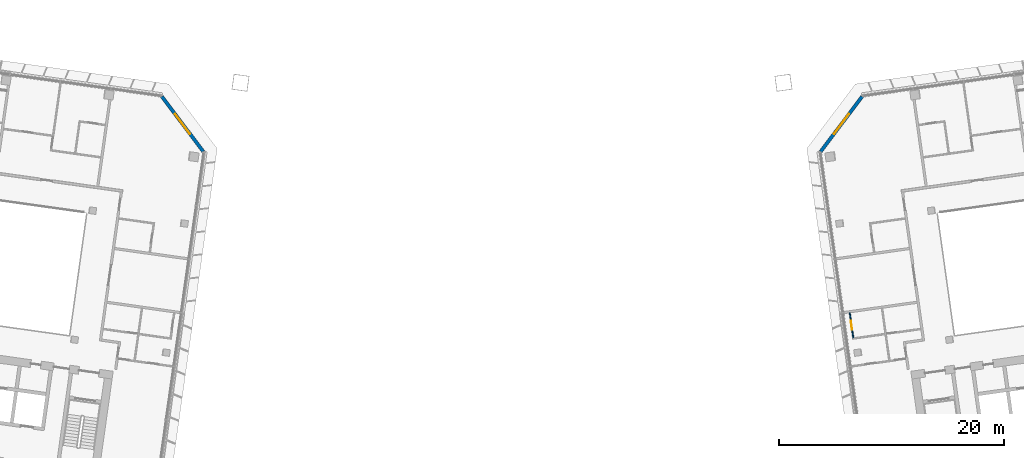
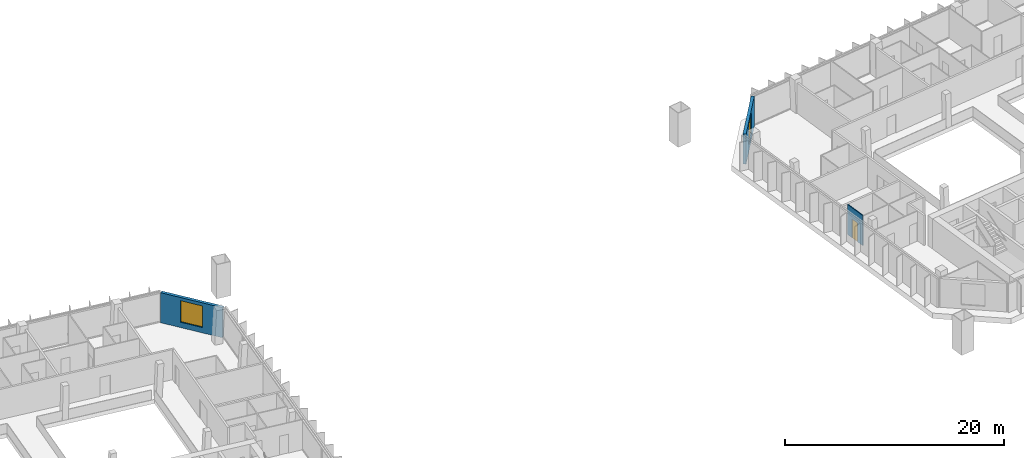
# One storey, part 21 of 32: 3 walls, 2 windows, 1 door, 3 openings.
"""IFC4 building model written with IfcOpenShell, lengths in metres."""

from ifc_helpers import new_model, si_unit, direction, frame, frame_2d, origin, place, context, subcontext, project, spatial, rectangle, extrude, material, layer, layer_set, type_object, element, fill, save


model = new_model("IFC4")

# Units and contexts
model_context = context("Model", 3, precision=1e-05, world=origin(), true_north=direction((0.0, 1.0)))
body_context = subcontext(model_context, "Body", "Model", "MODEL_VIEW")
ifc_project = project(units=[si_unit("LENGTHUNIT", "METRE"), si_unit("AREAUNIT", "SQUARE_METRE"), si_unit("VOLUMEUNIT", "CUBIC_METRE"), si_unit("PLANEANGLEUNIT", "RADIAN"), si_unit("MASSUNIT", "GRAM", prefix="KILO")], contexts=[model_context])

# Site, building, storey
site_placement = place(None, origin())
site = spatial("IfcSite", under=ifc_project, at=site_placement, CompositionType="ELEMENT")
building_placement = place(site_placement, origin())
building = spatial("IfcBuilding", under=site, at=building_placement, Name="Mirante Cascada Hotel Towers", CompositionType="ELEMENT")
storey_placement = place(building_placement, frame((0.0, 0.0, 176.4)))
storey = spatial("IfcBuildingStorey", under=building, at=storey_placement, Name="L41", CompositionType="ELEMENT", Elevation=176.4)

# Wall, opening, door
ifc_material_1 = material(Name="Plasterboard on metal studs")
ifc_layer_1 = layer(ifc_material_1, 0.1)
ifc_layer_set_1 = layer_set([ifc_layer_1], Name="Partition 100")
wall_type_1 = type_object("IfcWallType", Name="Partition 100", PredefinedType="PARTITIONING", material=ifc_layer_set_1)
wall_1_placement = place(storey_placement, frame((30.0584, -2.0928, 0.0), z_axis=(0.0, 0.0, 1.0), x_axis=(0.1391561, -0.9902705, 0.0)))
wall_1 = element("IfcWall", 1, at=wall_1_placement, inside=storey, type_object=wall_type_1, Name="Wall 2-L41-29", PredefinedType="PARTITIONING", context=body_context, shape_type="SweptSolid", body=[
    extrude(rectangle(XDim=2.25, YDim=0.1, at=frame_2d((1.125, 0.0))), origin(), (0.0, 0.0, 1.0), 3.35),
])
opening_1_placement = place(wall_1_placement, frame((0.7, 0.0, 0.0)))
opening_1 = element("IfcOpeningElement", 2, at=opening_1_placement, cuts=wall_1, Name="Opening D2-L41-23", PredefinedType="OPENING", context=body_context, shape_type="SweptSolid", body=[
    extrude(rectangle(XDim=0.8, YDim=2.1, at=frame_2d((0.4, 1.05))), frame((0.0, 0.05, 0.0), z_axis=(0.0, -1.0, 0.0), x_axis=(1.0, 0.0, 0.0)), (0.0, 0.0, 1.0), 0.1),
])
ifc_material_2 = material(Name="Timber door leaf", Category="wood")
door_type = type_object("IfcDoorType", Name="Bathroom door DG4 800x2100", OperationType="SINGLE_SWING_LEFT", PredefinedType="DOOR", material=ifc_material_2)
door_placement = place(opening_1_placement, origin())
door = element("IfcDoor", 3, at=door_placement, inside=storey, type_object=door_type, Name="Door D2-L41-23", OperationType="SINGLE_SWING_LEFT", OverallHeight=2.1, OverallWidth=0.8, PredefinedType="DOOR", context=body_context, shape_type="SweptSolid", body=[
    extrude(rectangle(XDim=0.8, YDim=2.1, at=frame_2d((0.4, 1.05))), frame((0.0, 0.025, 0.0), z_axis=(0.0, -1.0, 0.0), x_axis=(1.0, 0.0, 0.0)), (0.0, 0.0, 1.0), 0.05),
])
fill(opening_1, door)

# Wall, opening, window
ifc_material_3 = material(Name="Precast concrete C40/50", Category="concrete")
ifc_layer_2 = layer(ifc_material_3, 0.3)
ifc_layer_set_2 = layer_set([ifc_layer_2], Name="Precast concrete C40/50 cladding wall 300")
wall_type_2 = type_object("IfcWallType", Name="Precast concrete C40/50 cladding wall 300", PredefinedType="STANDARD", material=ifc_layer_set_2)
wall_2_placement = place(storey_placement, frame((-31.1537, 17.1531, 0.0), z_axis=(0.0, 0.0, 1.0), x_axis=(0.6018141, -0.7986362, 0.0)))
wall_2 = element("IfcWall", 4, at=wall_2_placement, inside=storey, type_object=wall_type_2, Name="Corner cladding wall T1 L41 front inner", PredefinedType="STANDARD", context=body_context, shape_type="SweptSolid", body=[
    extrude(rectangle(XDim=6.1157, YDim=0.3, at=frame_2d((3.0578, 0.0))), origin(), (0.0, 0.0, 1.0), 3.35),
])
opening_2_placement = place(wall_2_placement, frame((1.9578, 0.0, 0.6)))
opening_2 = element("IfcOpeningElement", 5, at=opening_2_placement, cuts=wall_2, Name="Opening W1-41-03", PredefinedType="OPENING", context=body_context, shape_type="SweptSolid", body=[
    extrude(rectangle(XDim=2.2, YDim=2.4, at=frame_2d((1.1, 1.2))), frame((0.0, 0.15, 0.0), z_axis=(0.0, -1.0, 0.0), x_axis=(1.0, 0.0, 0.0)), (0.0, 0.0, 1.0), 0.3),
])
ifc_material_4 = material(Name="Aluminium frame with clear double glazing", Category="aluminium")
window_type = type_object("IfcWindowType", Name="Corner suite window 2200x2400", PartitioningType="DOUBLE_PANEL_VERTICAL", PredefinedType="WINDOW", material=ifc_material_4)
window_1_placement = place(opening_2_placement, origin())
window_1 = element("IfcWindow", 6, at=window_1_placement, inside=storey, type_object=window_type, Name="Window W1-41-03", OverallHeight=2.4, OverallWidth=2.2, PartitioningType="SINGLE_PANEL", PredefinedType="WINDOW", context=body_context, shape_type="SweptSolid", body=[
    extrude(rectangle(XDim=2.2, YDim=2.4, at=frame_2d((1.1, 1.2))), frame((0.0, 0.03, 0.0), z_axis=(0.0, -1.0, 0.0), x_axis=(1.0, 0.0, 0.0)), (0.0, 0.0, 1.0), 0.06),
])
fill(opening_2, window_1)

wall_3_placement = place(storey_placement, frame((31.1537, 17.1531, 0.0), z_axis=(0.0, 0.0, 1.0), x_axis=(-0.6018141, -0.7986362, 0.0)))
wall_3 = element("IfcWall", 7, at=wall_3_placement, inside=storey, type_object=wall_type_2, Name="Corner cladding wall T2 L41 front inner", PredefinedType="STANDARD", context=body_context, shape_type="SweptSolid", body=[
    extrude(rectangle(XDim=6.1157, YDim=0.3, at=frame_2d((3.0578, 0.0))), origin(), (0.0, 0.0, 1.0), 3.35),
])
opening_3_placement = place(wall_3_placement, frame((1.9578, 0.0, 0.6)))
opening_3 = element("IfcOpeningElement", 8, at=opening_3_placement, cuts=wall_3, Name="Opening W2-41-03", PredefinedType="OPENING", context=body_context, shape_type="SweptSolid", body=[
    extrude(rectangle(XDim=2.2, YDim=2.4, at=frame_2d((1.1, 1.2))), frame((0.0, 0.15, 0.0), z_axis=(0.0, -1.0, 0.0), x_axis=(1.0, 0.0, 0.0)), (0.0, 0.0, 1.0), 0.3),
])
window_2_placement = place(opening_3_placement, origin())
window_2 = element("IfcWindow", 9, at=window_2_placement, inside=storey, type_object=window_type, Name="Window W2-41-03", OverallHeight=2.4, OverallWidth=2.2, PartitioningType="SINGLE_PANEL", PredefinedType="WINDOW", context=body_context, shape_type="SweptSolid", body=[
    extrude(rectangle(XDim=2.2, YDim=2.4, at=frame_2d((1.1, 1.2))), frame((0.0, 0.03, 0.0), z_axis=(0.0, -1.0, 0.0), x_axis=(1.0, 0.0, 0.0)), (0.0, 0.0, 1.0), 0.06),
])
fill(opening_3, window_2)

save(model, "model.ifc")
